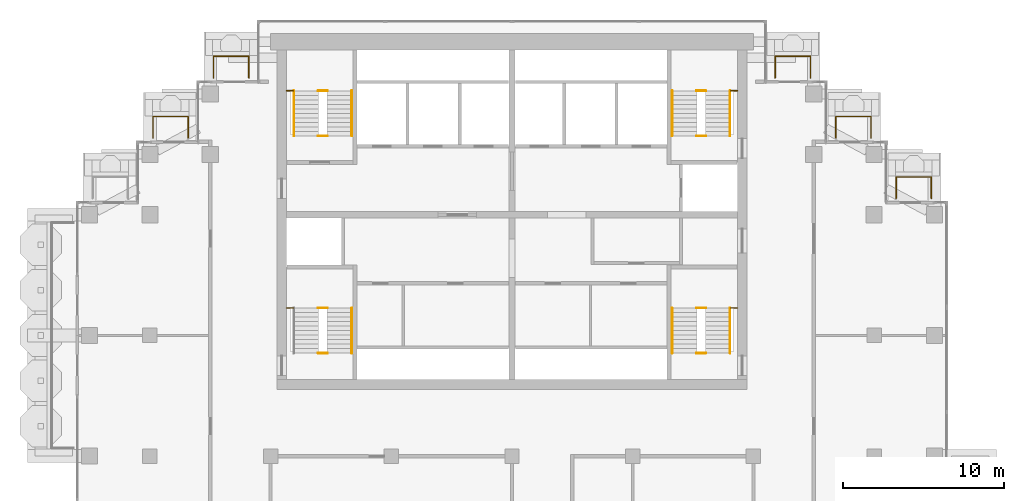
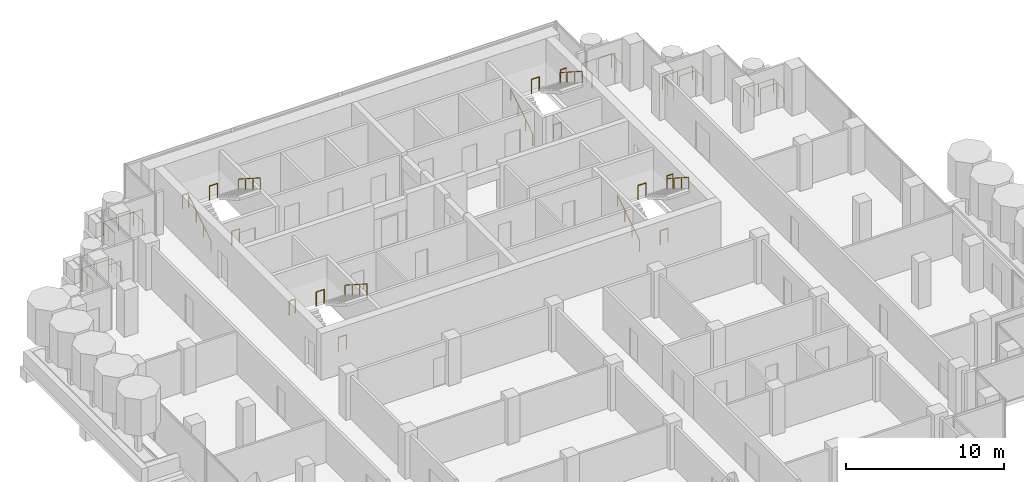
# One storey, part 17 of 18: 24 railings.
"""IFC4 building model written with IfcOpenShell, lengths in metres."""

from ifc_helpers import new_model, si_unit, direction, frame, origin, origin_2d, place, context, subcontext, project, spatial, circle, extrude, material, type_object, element, save


model = new_model("IFC4")

# Units and contexts
model_context = context("Model", 3, precision=1e-05, world=origin(), true_north=direction((0.0, 1.0)))
body_context = subcontext(model_context, "Body", "Model", "MODEL_VIEW")
ifc_project = project(units=[si_unit("LENGTHUNIT", "METRE"), si_unit("AREAUNIT", "SQUARE_METRE"), si_unit("VOLUMEUNIT", "CUBIC_METRE"), si_unit("PLANEANGLEUNIT", "RADIAN"), si_unit("MASSUNIT", "GRAM", prefix="KILO")], contexts=[model_context])

# Site, building, storey
site_placement = place(None, origin())
site = spatial("IfcSite", under=ifc_project, at=site_placement, CompositionType="ELEMENT")
building_placement = place(site_placement, origin())
building = spatial("IfcBuilding", under=site, at=building_placement, Name="Pilkhan Gate Tower", CompositionType="ELEMENT")
storey_placement = place(building_placement, frame((0.0, 0.0, 221.10009765625)))
storey = spatial("IfcBuildingStorey", under=building, at=storey_placement, Name="L57", CompositionType="ELEMENT", Elevation=221.10009765625)

# Railings
ifc_material_1 = material(Name="Pale anodised aluminium posts, laminated glass infill", Category="aluminium")
railing_type_1 = type_object("IfcRailingType", Name="Balcony guard G1", PredefinedType="BALUSTRADE", material=ifc_material_1)
for number, where, name in (
    (1, (56.449951171875, 91.0, 0.0), "Balcony guard L57 N"),
    (2, (91.35009765625, 91.0, 0.0), "Balcony guard L57 N"),
):
    element("IfcRailing", number, at=place(storey_placement, frame(where)), inside=storey, type_object=railing_type_1, Name=name, PredefinedType="BALUSTRADE", context=body_context, shape_type="SweptSolid", body=[
        extrude(circle(Radius=0.02392578125, at=origin_2d()), frame((0.0, 0.0, 1.076171875), z_axis=(0.0, 1.0, 0.0), x_axis=(-1.0, 0.0, 0.0)), (0.0, 0.0, 1.0), 1.35009765625),
        extrude(circle(Radius=0.02392578125, at=origin_2d()), frame((0.0, 1.35009765625, 1.076171875), z_axis=(1.0, 0.0, 0.0), x_axis=(0.0, 1.0, 0.0)), (0.0, 0.0, 1.0), 2.199951171875),
        extrude(circle(Radius=0.02392578125, at=origin_2d()), frame((2.199951171875, 1.35009765625, 1.076171875), z_axis=(0.0, -1.0, 0.0), x_axis=(1.0, 0.0, 0.0)), (0.0, 0.0, 1.0), 1.35009765625),
        extrude(circle(Radius=0.02099609375, at=origin_2d()), origin(), (0.0, 0.0, 1.0), 1.052001953125),
        extrude(circle(Radius=0.02099609375, at=origin_2d()), frame((0.0, 0.675048828125, 0.0)), (0.0, 0.0, 1.0), 1.052001953125),
        extrude(circle(Radius=0.02099609375, at=origin_2d()), frame((0.0, 1.35009765625, 0.0)), (0.0, 0.0, 1.0), 1.052001953125),
        extrude(circle(Radius=0.02099609375, at=origin_2d()), frame((1.10009765625, 1.35009765625, 0.0)), (0.0, 0.0, 1.0), 1.052001953125),
        extrude(circle(Radius=0.02099609375, at=origin_2d()), frame((2.199951171875, 1.35009765625, 0.0)), (0.0, 0.0, 1.0), 1.052001953125),
        extrude(circle(Radius=0.02099609375, at=origin_2d()), frame((2.199951171875, 0.675048828125, 0.0)), (0.0, 0.0, 1.0), 1.052001953125),
        extrude(circle(Radius=0.02099609375, at=origin_2d()), frame((2.199951171875, 0.0, 0.0)), (0.0, 0.0, 1.0), 1.052001953125),
    ])
for number, where, name in (
    (3, (52.699951171875, 87.27001953125, 0.0), "Balcony guard L57 N"),
    (4, (95.1201171875, 87.27001953125, 0.0), "Balcony guard L57 N"),
    (5, (98.8701171875, 83.52001953125, 0.0), "Balcony guard L57 N"),
):
    element("IfcRailing", number, at=place(storey_placement, frame(where)), inside=storey, type_object=railing_type_1, Name=name, PredefinedType="BALUSTRADE", context=body_context, shape_type="SweptSolid", body=[
        extrude(circle(Radius=0.02392578125, at=origin_2d()), frame((0.0, 0.0, 1.076171875), z_axis=(0.0, 1.0, 0.0), x_axis=(-1.0, 0.0, 0.0)), (0.0, 0.0, 1.0), 1.330078125),
        extrude(circle(Radius=0.02392578125, at=origin_2d()), frame((0.0, 1.330078125, 1.076171875), z_axis=(1.0, 0.0, 0.0), x_axis=(0.0, 1.0, 0.0)), (0.0, 0.0, 1.0), 2.179931640625),
        extrude(circle(Radius=0.02392578125, at=origin_2d()), frame((2.179931640625, 1.330078125, 1.076171875), z_axis=(0.0, -1.0, 0.0), x_axis=(1.0, 0.0, 0.0)), (0.0, 0.0, 1.0), 1.330078125),
        extrude(circle(Radius=0.02099609375, at=origin_2d()), origin(), (0.0, 0.0, 1.0), 1.052001953125),
        extrude(circle(Radius=0.02099609375, at=origin_2d()), frame((0.0, 0.6650390625, 0.0)), (0.0, 0.0, 1.0), 1.052001953125),
        extrude(circle(Radius=0.02099609375, at=origin_2d()), frame((0.0, 1.330078125, 0.0)), (0.0, 0.0, 1.0), 1.052001953125),
        extrude(circle(Radius=0.02099609375, at=origin_2d()), frame((1.08984375, 1.330078125, 0.0)), (0.0, 0.0, 1.0), 1.052001953125),
        extrude(circle(Radius=0.02099609375, at=origin_2d()), frame((2.179931640625, 1.330078125, 0.0)), (0.0, 0.0, 1.0), 1.052001953125),
        extrude(circle(Radius=0.02099609375, at=origin_2d()), frame((2.179931640625, 0.6650390625, 0.0)), (0.0, 0.0, 1.0), 1.052001953125),
        extrude(circle(Radius=0.02099609375, at=origin_2d()), frame((2.179931640625, 0.0, 0.0)), (0.0, 0.0, 1.0), 1.052001953125),
    ])
ifc_material_2 = material(Name="Black powder-coated steel tube", Category="steel")
railing_type_2 = type_object("IfcRailingType", Name="Stair handrail HR1", PredefinedType="HANDRAIL", material=ifc_material_2)
railing_1_placement = place(storey_placement, frame((84.949951171875, 73.89990234375, 0.0)))
element("IfcRailing", 6, at=railing_1_placement, inside=storey, type_object=railing_type_2, Name="Stair ST1 handrail L57", PredefinedType="HANDRAIL", context=body_context, shape_type="SweptSolid", body=[
    extrude(circle(Radius=0.02392578125, at=origin_2d()), frame((0.0, 0.0, 0.8759765625), z_axis=(0.0, 0.841209454229, 0.540709398952), x_axis=(-1.0, 0.0, 0.0)), (0.0, 0.0, 1.0), 3.32861328125),
    extrude(circle(Radius=0.02099609375, at=origin_2d()), origin(), (0.0, 0.0, 1.0), 0.851806640625),
    extrude(circle(Radius=0.02099609375, at=origin_2d()), frame((0.0, 0.933349609375, 0.599853515625)), (0.0, 0.0, 1.0), 0.851806640625),
    extrude(circle(Radius=0.02099609375, at=origin_2d()), frame((0.0, 1.86669921875, 1.199951171875)), (0.0, 0.0, 1.0), 0.851806640625),
    extrude(circle(Radius=0.02099609375, at=origin_2d()), frame((0.0, 2.800048828125, 1.7998046875)), (0.0, 0.0, 1.0), 0.851806640625),
])
for number, where, name in (
    (7, (88.550048828125, 76.699951171875, 1.7998046875), "Stair ST1 handrail L57"),
    (8, (65.050048828125, 76.699951171875, 1.7998046875), "Stair ST2 handrail L57"),
):
    element("IfcRailing", number, at=place(storey_placement, frame(where)), inside=storey, type_object=railing_type_2, Name=name, PredefinedType="HANDRAIL", context=body_context, shape_type="SweptSolid", body=[
        extrude(circle(Radius=0.02392578125, at=origin_2d()), frame((0.0, 0.0, 0.8759765625), z_axis=(0.0, -0.841176092368, 0.540761298198), x_axis=(1.0, 0.0, 0.0)), (0.0, 0.0, 1.0), 3.32861328125),
        extrude(circle(Radius=0.02099609375, at=origin_2d()), origin(), (0.0, 0.0, 1.0), 0.851806640625),
        extrude(circle(Radius=0.02099609375, at=origin_2d()), frame((0.0, -0.933349609375, 0.60009765625)), (0.0, 0.0, 1.0), 0.851806640625),
        extrude(circle(Radius=0.02099609375, at=origin_2d()), frame((0.0, -1.86669921875, 1.199951171875)), (0.0, 0.0, 1.0), 0.851806640625),
        extrude(circle(Radius=0.02099609375, at=origin_2d()), frame((0.0, -2.800048828125, 1.800048828125)), (0.0, 0.0, 1.0), 0.851806640625),
    ])
railing_2_placement = place(storey_placement, frame((61.449951171875, 87.39990234375, 0.0)))
element("IfcRailing", 9, at=railing_2_placement, inside=storey, type_object=railing_type_2, Name="Stair ST3 handrail L57", PredefinedType="HANDRAIL", context=body_context, shape_type="SweptSolid", body=[
    extrude(circle(Radius=0.02392578125, at=origin_2d()), frame((0.0, 0.0, 0.8759765625), z_axis=(0.0, 0.841209454229, 0.540709398952), x_axis=(-1.0, 0.0, 0.0)), (0.0, 0.0, 1.0), 3.32861328125),
    extrude(circle(Radius=0.02099609375, at=origin_2d()), origin(), (0.0, 0.0, 1.0), 0.851806640625),
    extrude(circle(Radius=0.02099609375, at=origin_2d()), frame((0.0, 0.933349609375, 0.599853515625)), (0.0, 0.0, 1.0), 0.851806640625),
    extrude(circle(Radius=0.02099609375, at=origin_2d()), frame((0.0, 1.86669921875, 1.199951171875)), (0.0, 0.0, 1.0), 0.851806640625),
    extrude(circle(Radius=0.02099609375, at=origin_2d()), frame((0.0, 2.800048828125, 1.7998046875)), (0.0, 0.0, 1.0), 0.851806640625),
])
railing_3_placement = place(storey_placement, frame((65.050048828125, 90.199951171875, 1.7998046875)))
element("IfcRailing", 10, at=railing_3_placement, inside=storey, type_object=railing_type_2, Name="Stair ST3 handrail L57", PredefinedType="HANDRAIL", context=body_context, shape_type="SweptSolid", body=[
    extrude(circle(Radius=0.02392578125, at=origin_2d()), frame((0.0, 0.0, 0.8759765625), z_axis=(0.0, -0.841176092368, 0.540761298198), x_axis=(1.0, 0.0, 0.0)), (0.0, 0.0, 1.0), 3.32861328125),
    extrude(circle(Radius=0.02099609375, at=origin_2d()), origin(), (0.0, 0.0, 1.0), 0.851806640625),
    extrude(circle(Radius=0.02099609375, at=origin_2d()), frame((0.0, -0.933349609375, 0.60009765625)), (0.0, 0.0, 1.0), 0.851806640625),
    extrude(circle(Radius=0.02099609375, at=origin_2d()), frame((0.0, -1.86669921875, 1.199951171875)), (0.0, 0.0, 1.0), 0.851806640625),
    extrude(circle(Radius=0.02099609375, at=origin_2d()), frame((0.0, -2.800048828125, 1.800048828125)), (0.0, 0.0, 1.0), 0.851806640625),
])
railing_4_placement = place(storey_placement, frame((84.949951171875, 87.39990234375, 0.0)))
element("IfcRailing", 11, at=railing_4_placement, inside=storey, type_object=railing_type_2, Name="Stair ST4 handrail L57", PredefinedType="HANDRAIL", context=body_context, shape_type="SweptSolid", body=[
    extrude(circle(Radius=0.02392578125, at=origin_2d()), frame((0.0, 0.0, 0.8759765625), z_axis=(0.0, 0.841209454229, 0.540709398952), x_axis=(-1.0, 0.0, 0.0)), (0.0, 0.0, 1.0), 3.32861328125),
    extrude(circle(Radius=0.02099609375, at=origin_2d()), origin(), (0.0, 0.0, 1.0), 0.851806640625),
    extrude(circle(Radius=0.02099609375, at=origin_2d()), frame((0.0, 0.933349609375, 0.599853515625)), (0.0, 0.0, 1.0), 0.851806640625),
    extrude(circle(Radius=0.02099609375, at=origin_2d()), frame((0.0, 1.86669921875, 1.199951171875)), (0.0, 0.0, 1.0), 0.851806640625),
    extrude(circle(Radius=0.02099609375, at=origin_2d()), frame((0.0, 2.800048828125, 1.7998046875)), (0.0, 0.0, 1.0), 0.851806640625),
])
railing_5_placement = place(storey_placement, frame((88.550048828125, 90.199951171875, 1.7998046875)))
element("IfcRailing", 12, at=railing_5_placement, inside=storey, type_object=railing_type_2, Name="Stair ST4 handrail L57", PredefinedType="HANDRAIL", context=body_context, shape_type="SweptSolid", body=[
    extrude(circle(Radius=0.02392578125, at=origin_2d()), frame((0.0, 0.0, 0.8759765625), z_axis=(0.0, -0.841176092368, 0.540761298198), x_axis=(1.0, 0.0, 0.0)), (0.0, 0.0, 1.0), 3.32861328125),
    extrude(circle(Radius=0.02099609375, at=origin_2d()), origin(), (0.0, 0.0, 1.0), 0.851806640625),
    extrude(circle(Radius=0.02099609375, at=origin_2d()), frame((0.0, -0.933349609375, 0.60009765625)), (0.0, 0.0, 1.0), 0.851806640625),
    extrude(circle(Radius=0.02099609375, at=origin_2d()), frame((0.0, -1.86669921875, 1.199951171875)), (0.0, 0.0, 1.0), 0.851806640625),
    extrude(circle(Radius=0.02099609375, at=origin_2d()), frame((0.0, -2.800048828125, 1.800048828125)), (0.0, 0.0, 1.0), 0.851806640625),
])
ifc_material_3 = material(Name="Black powder-coated steel balusters", Category="steel")
railing_type_3 = type_object("IfcRailingType", Name="Stair well guard G3", PredefinedType="GUARDRAIL", material=ifc_material_3)
railing_6_placement = place(storey_placement, frame((88.580078125, 76.699951171875, 1.7998046875)))
element("IfcRailing", 13, at=railing_6_placement, inside=storey, type_object=railing_type_3, Name="Stair ST1 well guard L57", PredefinedType="GUARDRAIL", context=body_context, shape_type="SweptSolid", body=[
    extrude(circle(Radius=0.02392578125, at=origin_2d()), frame((0.0, 0.0, 1.076171875), z_axis=(1.0, 0.0, 0.0), x_axis=(0.0, 1.0, 0.0)), (0.0, 0.0, 1.0), 0.43994140625),
    extrude(circle(Radius=0.02099609375, at=origin_2d()), origin(), (0.0, 0.0, 1.0), 1.052001953125),
    extrude(circle(Radius=0.02099609375, at=origin_2d()), frame((0.43994140625, 0.0, 0.0)), (0.0, 0.0, 1.0), 1.052001953125),
])
for number, where, name in (
    (14, (86.4599609375, 73.89990234375, 0.0), "Stair ST1 well guard L57"),
    (15, (86.4599609375, 76.699951171875, 1.7998046875), "Stair ST1 well guard L57"),
):
    element("IfcRailing", number, at=place(storey_placement, frame(where)), inside=storey, type_object=railing_type_3, Name=name, PredefinedType="GUARDRAIL", context=body_context, shape_type="SweptSolid", body=[
        extrude(circle(Radius=0.02392578125, at=origin_2d()), frame((0.0, 0.0, 1.076171875), z_axis=(1.0, 0.0, 0.0), x_axis=(0.0, 1.0, 0.0)), (0.0, 0.0, 1.0), 0.580078125),
        extrude(circle(Radius=0.02099609375, at=origin_2d()), origin(), (0.0, 0.0, 1.0), 1.052001953125),
        extrude(circle(Radius=0.02099609375, at=origin_2d()), frame((0.580078125, 0.0, 0.0)), (0.0, 0.0, 1.0), 1.052001953125),
    ])
railing_7_placement = place(storey_placement, frame((60.97998046875, 76.699951171875, 1.7998046875)))
element("IfcRailing", 16, at=railing_7_placement, inside=storey, type_object=railing_type_3, Name="Stair ST2 well guard L57", PredefinedType="GUARDRAIL", context=body_context, shape_type="SweptSolid", body=[
    extrude(circle(Radius=0.02392578125, at=origin_2d()), frame((0.0, 0.0, 1.076171875), z_axis=(1.0, 0.0, 0.0), x_axis=(0.0, 1.0, 0.0)), (0.0, 0.0, 1.0), 0.43994140625),
    extrude(circle(Radius=0.02099609375, at=origin_2d()), origin(), (0.0, 0.0, 1.0), 1.052001953125),
    extrude(circle(Radius=0.02099609375, at=origin_2d()), frame((0.43994140625, 0.0, 0.0)), (0.0, 0.0, 1.0), 1.052001953125),
])
for number, where, name in (
    (17, (62.9599609375, 73.89990234375, 0.0), "Stair ST2 well guard L57"),
    (18, (62.9599609375, 76.699951171875, 1.7998046875), "Stair ST2 well guard L57"),
):
    element("IfcRailing", number, at=place(storey_placement, frame(where)), inside=storey, type_object=railing_type_3, Name=name, PredefinedType="GUARDRAIL", context=body_context, shape_type="SweptSolid", body=[
        extrude(circle(Radius=0.02392578125, at=origin_2d()), frame((0.0, 0.0, 1.076171875), z_axis=(1.0, 0.0, 0.0), x_axis=(0.0, 1.0, 0.0)), (0.0, 0.0, 1.0), 0.580078125),
        extrude(circle(Radius=0.02099609375, at=origin_2d()), origin(), (0.0, 0.0, 1.0), 1.052001953125),
        extrude(circle(Radius=0.02099609375, at=origin_2d()), frame((0.580078125, 0.0, 0.0)), (0.0, 0.0, 1.0), 1.052001953125),
    ])
railing_8_placement = place(storey_placement, frame((60.97998046875, 90.199951171875, 1.7998046875)))
element("IfcRailing", 19, at=railing_8_placement, inside=storey, type_object=railing_type_3, Name="Stair ST3 well guard L57", PredefinedType="GUARDRAIL", context=body_context, shape_type="SweptSolid", body=[
    extrude(circle(Radius=0.02392578125, at=origin_2d()), frame((0.0, 0.0, 1.076171875), z_axis=(1.0, 0.0, 0.0), x_axis=(0.0, 1.0, 0.0)), (0.0, 0.0, 1.0), 0.43994140625),
    extrude(circle(Radius=0.02099609375, at=origin_2d()), origin(), (0.0, 0.0, 1.0), 1.052001953125),
    extrude(circle(Radius=0.02099609375, at=origin_2d()), frame((0.43994140625, 0.0, 0.0)), (0.0, 0.0, 1.0), 1.052001953125),
])
for number, where, name in (
    (20, (62.9599609375, 87.39990234375, 0.0), "Stair ST3 well guard L57"),
    (21, (62.9599609375, 90.199951171875, 1.7998046875), "Stair ST3 well guard L57"),
):
    element("IfcRailing", number, at=place(storey_placement, frame(where)), inside=storey, type_object=railing_type_3, Name=name, PredefinedType="GUARDRAIL", context=body_context, shape_type="SweptSolid", body=[
        extrude(circle(Radius=0.02392578125, at=origin_2d()), frame((0.0, 0.0, 1.076171875), z_axis=(1.0, 0.0, 0.0), x_axis=(0.0, 1.0, 0.0)), (0.0, 0.0, 1.0), 0.580078125),
        extrude(circle(Radius=0.02099609375, at=origin_2d()), origin(), (0.0, 0.0, 1.0), 1.052001953125),
        extrude(circle(Radius=0.02099609375, at=origin_2d()), frame((0.580078125, 0.0, 0.0)), (0.0, 0.0, 1.0), 1.052001953125),
    ])
railing_9_placement = place(storey_placement, frame((88.580078125, 90.199951171875, 1.7998046875)))
element("IfcRailing", 22, at=railing_9_placement, inside=storey, type_object=railing_type_3, Name="Stair ST4 well guard L57", PredefinedType="GUARDRAIL", context=body_context, shape_type="SweptSolid", body=[
    extrude(circle(Radius=0.02392578125, at=origin_2d()), frame((0.0, 0.0, 1.076171875), z_axis=(1.0, 0.0, 0.0), x_axis=(0.0, 1.0, 0.0)), (0.0, 0.0, 1.0), 0.43994140625),
    extrude(circle(Radius=0.02099609375, at=origin_2d()), origin(), (0.0, 0.0, 1.0), 1.052001953125),
    extrude(circle(Radius=0.02099609375, at=origin_2d()), frame((0.43994140625, 0.0, 0.0)), (0.0, 0.0, 1.0), 1.052001953125),
])
for number, where, name in (
    (23, (86.4599609375, 87.39990234375, 0.0), "Stair ST4 well guard L57"),
    (24, (86.4599609375, 90.199951171875, 1.7998046875), "Stair ST4 well guard L57"),
):
    element("IfcRailing", number, at=place(storey_placement, frame(where)), inside=storey, type_object=railing_type_3, Name=name, PredefinedType="GUARDRAIL", context=body_context, shape_type="SweptSolid", body=[
        extrude(circle(Radius=0.02392578125, at=origin_2d()), frame((0.0, 0.0, 1.076171875), z_axis=(1.0, 0.0, 0.0), x_axis=(0.0, 1.0, 0.0)), (0.0, 0.0, 1.0), 0.580078125),
        extrude(circle(Radius=0.02099609375, at=origin_2d()), origin(), (0.0, 0.0, 1.0), 1.052001953125),
        extrude(circle(Radius=0.02099609375, at=origin_2d()), frame((0.580078125, 0.0, 0.0)), (0.0, 0.0, 1.0), 1.052001953125),
    ])

save(model, "model.ifc")
